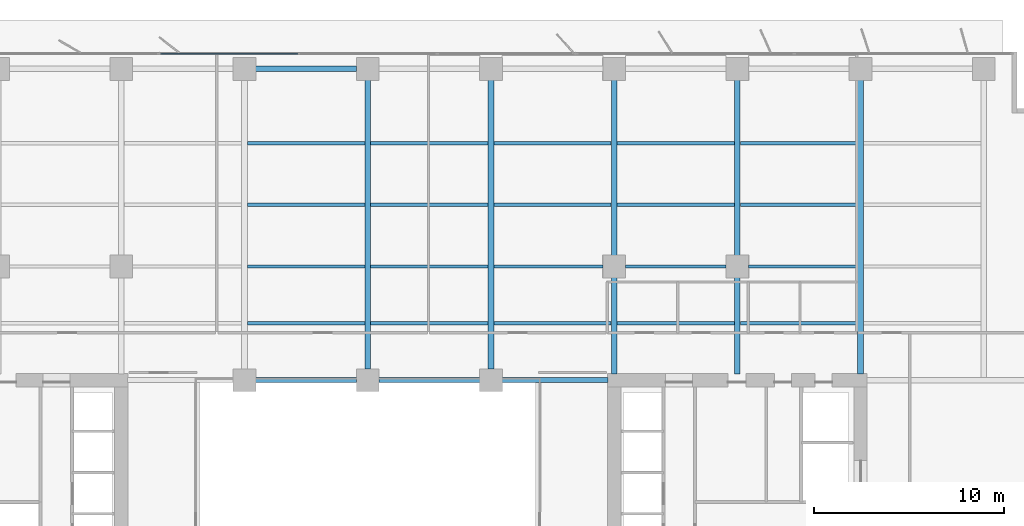
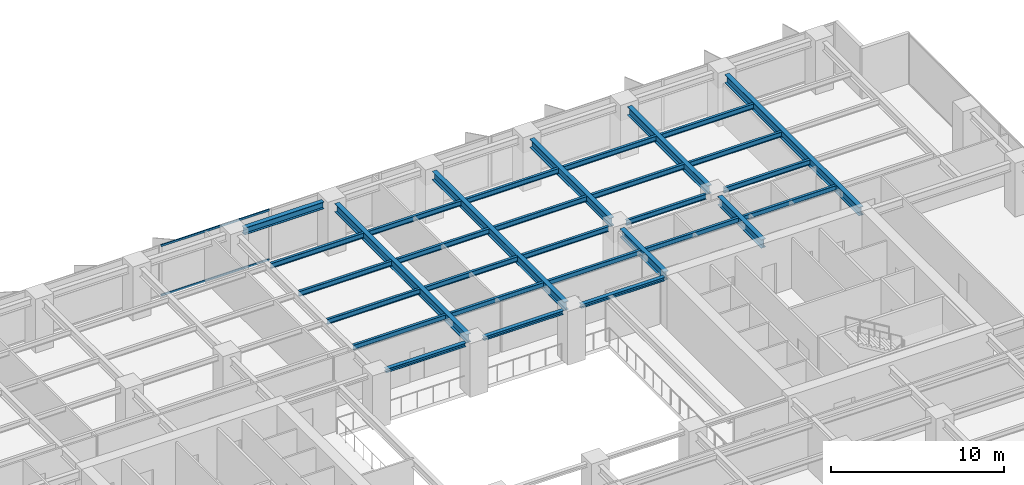
# One storey, part 8 of 19: 31 beams, 2 members, 1 element without a shape of its own.
"""IFC4 building model written with IfcOpenShell, lengths in metres."""

import ifcopenshell
import ifcopenshell.guid

model = None  # the IFC model being written
_history = None  # IfcOwnerHistory: only IFC2X3 demands one
_inside = {}  # id of a spatial element -> (the spatial element, [elements in it])
_under = {}  # id of a project, library or spatial element -> (it, [spatial elements below it])
_declared = {}  # id of a project -> (the project, [libraries it declares])
_typed = {}  # id of a type object -> (the type object, [elements of that type])
_made_of = {}  # id of a material, layer set ... -> (it, [elements and type objects made of it])


def new_model(schema):
    """Start an empty IFC model of exactly this schema.

    Asked for "IFC4X3", IfcOpenShell would pick the latest addendum, in which some entities
    have other attributes; the version numbers below select the first issue.
    IFC2X3 requires an IfcOwnerHistory on every rooted entity: one is made here for all.
    """
    global model, _history
    if schema == "IFC4X3":
        model = ifcopenshell.file(schema_version=(4, 3, 0, 0))
    else:
        model = ifcopenshell.file(schema=schema)
    _inside.clear()
    _under.clear()
    _declared.clear()
    _typed.clear()
    _made_of.clear()
    _history = None
    if model.schema == "IFC2X3":
        org = make("IfcOrganization", Name="unknown")
        user = make(
            "IfcPersonAndOrganization",
            ThePerson=make("IfcPerson", FamilyName="unknown"),
            TheOrganization=org,
        )
        app = make(
            "IfcApplication",
            ApplicationDeveloper=org,
            Version="unknown",
            ApplicationFullName="unknown",
            ApplicationIdentifier="unknown",
        )
        _history = make(
            "IfcOwnerHistory",
            OwningUser=user,
            OwningApplication=app,
            ChangeAction="ADDED",
            CreationDate=0,
        )
    return model


def make(cls, **values):
    """One entity of the class cls with the attributes given. An attribute that is None is left unset."""
    return model.create_entity(
        cls, **{name: value for name, value in values.items() if value is not None}
    )


def rooted(cls, **values):
    """An entity with a GlobalId (a new one), such as an element, a storey or a relation."""
    return make(cls, GlobalId=ifcopenshell.guid.new(), OwnerHistory=_history, **values)


def si_unit(unit_type, name, prefix=None):
    """IfcSIUnit, for example si_unit("LENGTHUNIT", "METRE", prefix="MILLI")."""
    return make("IfcSIUnit", UnitType=unit_type, Prefix=prefix, Name=name)


def assignment(units):
    """IfcUnitAssignment: the units of a project."""
    return None if units is None else make("IfcUnitAssignment", Units=units)


def point(xyz):
    """IfcCartesianPoint."""
    return None if xyz is None else make("IfcCartesianPoint", Coordinates=xyz)


def direction(xyz):
    """IfcDirection."""
    return None if xyz is None else make("IfcDirection", DirectionRatios=xyz)


def frame(location, z_axis=None, x_axis=None):
    """IfcAxis2Placement3D, a coordinate frame: its origin and axes. An axis left out is left unset."""
    return make(
        "IfcAxis2Placement3D",
        Location=point(location),
        Axis=direction(z_axis),
        RefDirection=direction(x_axis),
    )


def frame_2d(location, x_axis=None):
    """IfcAxis2Placement2D, a coordinate frame in the plane: its origin and x axis."""
    return make(
        "IfcAxis2Placement2D", Location=point(location), RefDirection=direction(x_axis)
    )


def origin():
    """The frame at (0, 0, 0) with its axes left unset."""
    return frame((0.0, 0.0, 0.0))


def origin_2d():
    """The frame at (0, 0) in the plane with its x axis left unset."""
    return frame_2d((0.0, 0.0))


def place(relative_to, where):
    """IfcLocalPlacement: puts the frame where relative to a parent placement (None: the world)."""
    return make(
        "IfcLocalPlacement", PlacementRelTo=relative_to, RelativePlacement=where
    )


def context(
    kind, dimensions, precision=None, world=None, true_north=None, identifier=None
):
    """IfcGeometricRepresentationContext, for example the 3D "Model" context."""
    return make(
        "IfcGeometricRepresentationContext",
        ContextIdentifier=identifier,
        ContextType=kind,
        CoordinateSpaceDimension=dimensions,
        Precision=precision,
        WorldCoordinateSystem=world,
        TrueNorth=true_north,
    )


def subcontext(parent, identifier, kind, view, scale=None):
    """IfcGeometricRepresentationSubContext, for example "Body" below "Model"."""
    return make(
        "IfcGeometricRepresentationSubContext",
        ContextIdentifier=identifier,
        ContextType=kind,
        ParentContext=parent,
        TargetScale=scale,
        TargetView=view,
    )


def project(units=None, contexts=None):
    """IfcProject with its units and contexts."""
    return rooted(
        "IfcProject",
        Name="project",
        RepresentationContexts=contexts,
        UnitsInContext=assignment(units),
    )


def spatial(cls, under=None, at=None, **own):
    """A site, building, storey or space (cls), placed at a placement, below another one or the project."""
    s = rooted(cls, ObjectPlacement=at, **own)
    if under is not None:
        _under.setdefault(under.id(), (under, []))[1].append(s)
    return s


def profile(cls, at=None, kind="AREA", **sizes):
    """A parametric profile (cls). Its sizes go by their IFC names, for example OverallWidth=200.0."""
    return make(cls, ProfileType=kind, Position=at, **sizes)


def rectangle(**sizes):
    """IfcRectangleProfileDef."""
    return profile("IfcRectangleProfileDef", **sizes)


def i_section(**sizes):
    """IfcIShapeProfileDef."""
    return profile("IfcIShapeProfileDef", **sizes)


def extrude(swept, where, along, depth):
    """IfcExtrudedAreaSolid: the profile swept, set in the frame where, extruded along a direction by depth."""
    return make(
        "IfcExtrudedAreaSolid",
        SweptArea=swept,
        Position=where,
        ExtrudedDirection=direction(along),
        Depth=depth,
    )


def shape(context_of_items, identifier, shape_type, items):
    """IfcShapeRepresentation: the items that make up one representation, for example the "Body"."""
    return make(
        "IfcShapeRepresentation",
        ContextOfItems=context_of_items,
        RepresentationIdentifier=identifier,
        RepresentationType=shape_type,
        Items=items,
    )


def material(Name=None, Category=None):
    """IfcMaterial."""
    return make("IfcMaterial", Name=Name, Category=Category)


def layer(
    of_material, thickness, ventilated=None, Name=None, Category=None, Priority=None
):
    """IfcMaterialLayer: one layer of a wall or slab, of a material (None: an air gap)."""
    return make(
        "IfcMaterialLayer",
        Material=of_material,
        LayerThickness=thickness,
        IsVentilated=ventilated,
        Name=Name,
        Category=Category,
        Priority=Priority,
    )


def layer_set(layers, Name=None):
    """IfcMaterialLayerSet."""
    return make("IfcMaterialLayerSet", MaterialLayers=layers, LayerSetName=Name)


def material_profile(
    of_material, cross_section, Name=None, Category=None, Priority=None
):
    """IfcMaterialProfile: a cross section and its material."""
    return make(
        "IfcMaterialProfile",
        Name=Name,
        Material=of_material,
        Profile=cross_section,
        Priority=Priority,
        Category=Category,
    )


def profile_set(profiles, Name=None, composite=None):
    """IfcMaterialProfileSet."""
    return make(
        "IfcMaterialProfileSet",
        Name=Name,
        MaterialProfiles=profiles,
        CompositeProfile=composite,
    )


def made_of(thing, what):
    """Note that an element or type object is made of a material, layer set ...; save() writes the relation."""
    if what is not None:
        _made_of.setdefault(what.id(), (what, []))[1].append(thing)
    return thing


def type_object(cls, material=None, **own):
    """A type object (cls), such as IfcWallType, which elements share."""
    return made_of(rooted(cls, **own), material)


def element(
    cls,
    number,
    at=None,
    inside=None,
    cuts=None,
    type_object=None,
    material=None,
    context=None,
    identifier="Body",
    shape_type=None,
    held_by="IfcProductDefinitionShape",
    body=None,
    shapes=None,
    **own,
):
    """One element of the class cls, such as IfcWall. Its Tag is "e" and its number.

    at: its placement. inside: the storey or other place that contains it. cuts: it is an
    opening in that element (IfcRelVoidsElement). A single representation is given by context,
    identifier, shape_type and body (its items); several are given by shapes. held_by: the class
    of the entity that holds the representations. save() writes the other relations.
    """
    e = rooted(cls, Tag="e%d" % number, ObjectPlacement=at, **own)
    if body is not None:
        shapes = [shape(context, identifier, shape_type, body)]
    if shapes is not None:
        e.Representation = make(held_by, Representations=shapes)
    if inside is not None:
        _inside.setdefault(inside.id(), (inside, []))[1].append(e)
    if cuts is not None:
        rooted(
            "IfcRelVoidsElement", RelatingBuildingElement=cuts, RelatedOpeningElement=e
        )
    if type_object is not None:
        _typed.setdefault(type_object.id(), (type_object, []))[1].append(e)
    return made_of(e, material)


def aggregate(whole, parts):
    """IfcRelAggregates: a whole, such as a stair, and the parts it consists of."""
    return rooted("IfcRelAggregates", RelatingObject=whole, RelatedObjects=parts)


def save(model, path):
    """Write the relations noted so far, then the file.

    IfcRelAggregates (storeys below a building ...), IfcRelContainedInSpatialStructure (elements
    in a storey), IfcRelDefinesByType, IfcRelAssociatesMaterial and IfcRelDeclares: one each for
    every whole, place, type object, material and project.
    """
    for whole, parts in _under.values():
        aggregate(whole, parts)
    for where, things in _inside.values():
        rooted(
            "IfcRelContainedInSpatialStructure",
            RelatedElements=things,
            RelatingStructure=where,
        )
    for kind, things in _typed.values():
        rooted("IfcRelDefinesByType", RelatedObjects=things, RelatingType=kind)
    for what, things in _made_of.values():
        rooted("IfcRelAssociatesMaterial", RelatedObjects=things, RelatingMaterial=what)
    for by, libraries in _declared.values():
        rooted("IfcRelDeclares", RelatingContext=by, RelatedDefinitions=libraries)
    model.write(path)


model = new_model("IFC4")

# Units and contexts
model_context = context("Model", 3, precision=1e-05, world=origin(), true_north=direction((0.0, 1.0)))
body_context = subcontext(model_context, "Body", "Model", "MODEL_VIEW")
ifc_project = project(units=[si_unit("LENGTHUNIT", "METRE"), si_unit("AREAUNIT", "SQUARE_METRE"), si_unit("VOLUMEUNIT", "CUBIC_METRE"), si_unit("PLANEANGLEUNIT", "RADIAN"), si_unit("MASSUNIT", "GRAM", prefix="KILO")], contexts=[model_context])

# Site, building, storey
site_placement = place(None, origin())
site = spatial("IfcSite", under=ifc_project, at=site_placement, CompositionType="ELEMENT")
building_placement = place(site_placement, origin())
building = spatial("IfcBuilding", under=site, at=building_placement, Name="Putna Gate Headquarters", CompositionType="ELEMENT")
storey_placement = place(building_placement, frame((0.0, 0.0, 86.0)))
storey = spatial("IfcBuildingStorey", under=building, at=storey_placement, Name="L20", CompositionType="ELEMENT", Elevation=86.0)

# Beams
ifc_material_1 = material(Name="Steel S355J2", Category="steel")
ifc_material_profile_1 = material_profile(ifc_material_1, i_section(OverallWidth=0.260009765625, OverallDepth=0.260009765625, WebThickness=0.010009765625, FlangeThickness=0.017578125, at=origin_2d()), Name="Steel S355J2")
ifc_profile_set_1 = profile_set([ifc_material_profile_1], Name="Steel S355J2")
beam_type_1 = type_object("IfcBeamType", Name="BM-ATRIUM-HEB260", PredefinedType="BEAM", material=ifc_profile_set_1)
for number, where, z_axis, x_axis, name in (
    (1, (33.087890625, 33.0, 3.43505859375), (1.0, 0.0, 0.0), (0.0, 1.0, 0.0), "L20 Atrium Edge Beam AN2"),
    (2, (39.587890625, 33.0, 3.43505859375), (1.0, 0.0, 0.0), (0.0, 1.0, 0.0), "L20 Atrium Edge Beam AN3"),
):
    element("IfcBeam", number, at=place(storey_placement, frame(where, z_axis=z_axis, x_axis=x_axis)), inside=storey, type_object=beam_type_1, Name=name, PredefinedType="BEAM", context=body_context, shape_type="SweptSolid", body=[
        extrude(i_section(OverallWidth=0.260009765625, OverallDepth=0.260009765625, WebThickness=0.010009765625, FlangeThickness=0.017578125, at=origin_2d()), origin(), (0.0, 0.0, 1.0), 5.32421875),
    ])
beam_1_placement = place(storey_placement, frame((46.087890625, 33.0, 3.43505859375), z_axis=(1.0, 0.0, 0.0), x_axis=(0.0, 1.0, 0.0)))
element("IfcBeam", 3, at=beam_1_placement, inside=storey, type_object=beam_type_1, Name="L20 Atrium Edge Beam AN4", PredefinedType="BEAM", context=body_context, shape_type="SweptSolid", body=[
    extrude(i_section(OverallWidth=0.260009765625, OverallDepth=0.260009765625, WebThickness=0.010009765625, FlangeThickness=0.017578125, at=origin_2d()), origin(), (0.0, 0.0, 1.0), 5.5771484375),
])
ifc_material_profile_2 = material_profile(ifc_material_1, i_section(OverallWidth=0.300048828125, OverallDepth=0.60009765625, WebThickness=0.015380859375, FlangeThickness=0.030029296875, at=origin_2d()), Name="Steel S355J2")
ifc_profile_set_2 = profile_set([ifc_material_profile_2], Name="Steel S355J2")
beam_type_2 = type_object("IfcBeamType", Name="BM-GIRD-Z2-HEB600", PredefinedType="USERDEFINED", material=ifc_profile_set_2)
for number, where, z_axis, x_axis, name in (
    (4, (39.0, 33.587890625, 3.264892578125), (0.0, 1.0, 0.0), (-1.0, 0.0, 0.0), "L20 North Primary Girder X39"),
    (5, (45.5, 33.587890625, 3.264892578125), (0.0, 1.0, 0.0), (-1.0, 0.0, 0.0), "L20 North Primary Girder X45"),
):
    element("IfcBeam", number, at=place(storey_placement, frame(where, z_axis=z_axis, x_axis=x_axis)), inside=storey, type_object=beam_type_2, Name=name, ObjectType="GIRDER", PredefinedType="USERDEFINED", context=body_context, shape_type="SweptSolid", body=[
        extrude(i_section(OverallWidth=0.300048828125, OverallDepth=0.60009765625, WebThickness=0.015380859375, FlangeThickness=0.030029296875, at=origin_2d()), origin(), (0.0, 0.0, 1.0), 15.244140625),
    ])
beam_2_placement = place(storey_placement, frame((52.0, 33.3349609375, 3.264892578125), z_axis=(0.0, 1.0, 0.0), x_axis=(-1.0, 0.0, 0.0)))
element("IfcBeam", 6, at=beam_2_placement, inside=storey, type_object=beam_type_2, Name="L20 North Primary Girder X52-1", ObjectType="GIRDER", PredefinedType="USERDEFINED", context=body_context, shape_type="SweptSolid", body=[
    extrude(i_section(OverallWidth=0.300048828125, OverallDepth=0.60009765625, WebThickness=0.015380859375, FlangeThickness=0.030029296875, at=origin_2d()), origin(), (0.0, 0.0, 1.0), 5.0771484375),
])
beam_3_placement = place(storey_placement, frame((52.0, 39.587890625, 3.264892578125), z_axis=(0.0, 1.0, 0.0), x_axis=(-1.0, 0.0, 0.0)))
element("IfcBeam", 7, at=beam_3_placement, inside=storey, type_object=beam_type_2, Name="L20 North Primary Girder X52-2", ObjectType="GIRDER", PredefinedType="USERDEFINED", context=body_context, shape_type="SweptSolid", body=[
    extrude(i_section(OverallWidth=0.300048828125, OverallDepth=0.60009765625, WebThickness=0.015380859375, FlangeThickness=0.030029296875, at=origin_2d()), origin(), (0.0, 0.0, 1.0), 9.244140625),
])
beam_4_placement = place(storey_placement, frame((58.5, 33.3349609375, 3.264892578125), z_axis=(0.0, 1.0, 0.0), x_axis=(-1.0, 0.0, 0.0)))
element("IfcBeam", 8, at=beam_4_placement, inside=storey, type_object=beam_type_2, Name="L20 North Primary Girder X58-1", ObjectType="GIRDER", PredefinedType="USERDEFINED", context=body_context, shape_type="SweptSolid", body=[
    extrude(i_section(OverallWidth=0.300048828125, OverallDepth=0.60009765625, WebThickness=0.015380859375, FlangeThickness=0.030029296875, at=origin_2d()), origin(), (0.0, 0.0, 1.0), 5.0771484375),
])
beam_5_placement = place(storey_placement, frame((58.5, 39.587890625, 3.264892578125), z_axis=(0.0, 1.0, 0.0), x_axis=(-1.0, 0.0, 0.0)))
element("IfcBeam", 9, at=beam_5_placement, inside=storey, type_object=beam_type_2, Name="L20 North Primary Girder X58-2", ObjectType="GIRDER", PredefinedType="USERDEFINED", context=body_context, shape_type="SweptSolid", body=[
    extrude(i_section(OverallWidth=0.300048828125, OverallDepth=0.60009765625, WebThickness=0.015380859375, FlangeThickness=0.030029296875, at=origin_2d()), origin(), (0.0, 0.0, 1.0), 9.244140625),
])
beam_6_placement = place(storey_placement, frame((65.0, 33.3349609375, 3.264892578125), z_axis=(0.0, 1.0, 0.0), x_axis=(-1.0, 0.0, 0.0)))
element("IfcBeam", 10, at=beam_6_placement, inside=storey, type_object=beam_type_2, Name="L20 North Primary Girder X65", ObjectType="GIRDER", PredefinedType="USERDEFINED", context=body_context, shape_type="SweptSolid", body=[
    extrude(i_section(OverallWidth=0.300048828125, OverallDepth=0.60009765625, WebThickness=0.015380859375, FlangeThickness=0.030029296875, at=origin_2d()), origin(), (0.0, 0.0, 1.0), 15.4970703125),
])
ifc_material_profile_3 = material_profile(ifc_material_1, i_section(OverallWidth=0.169921875, OverallDepth=0.360107421875, WebThickness=0.008056640625, FlangeThickness=0.0126953125, at=origin_2d()), Name="Steel S355J2")
ifc_profile_set_3 = profile_set([ifc_material_profile_3], Name="Steel S355J2")
beam_type_3 = type_object("IfcBeamType", Name="BM-SEC-Z2-IPE360", PredefinedType="BEAM", material=ifc_profile_set_3)
for number, where, z_axis, x_axis, name in (
    (11, (32.654052734375, 36.0, 3.385009765625), (1.0, 0.0, 0.0), (0.0, 1.0, 0.0), "L20 North Secondary Beam 5"),
    (12, (32.654052734375, 39.0, 3.385009765625), (1.0, 0.0, 0.0), (0.0, 1.0, 0.0), "L20 North Secondary Beam 5"),
    (13, (32.654052734375, 42.25, 3.385009765625), (1.0, 0.0, 0.0), (0.0, 1.0, 0.0), "L20 North Secondary Beam 5"),
    (14, (32.654052734375, 45.5, 3.385009765625), (1.0, 0.0, 0.0), (0.0, 1.0, 0.0), "L20 North Secondary Beam 5"),
    (15, (39.154052734375, 36.0, 3.385009765625), (1.0, 0.0, 0.0), (0.0, 1.0, 0.0), "L20 North Secondary Beam 6"),
    (16, (39.154052734375, 39.0, 3.385009765625), (1.0, 0.0, 0.0), (0.0, 1.0, 0.0), "L20 North Secondary Beam 6"),
    (17, (39.154052734375, 42.25, 3.385009765625), (1.0, 0.0, 0.0), (0.0, 1.0, 0.0), "L20 North Secondary Beam 6"),
    (18, (39.154052734375, 45.5, 3.385009765625), (1.0, 0.0, 0.0), (0.0, 1.0, 0.0), "L20 North Secondary Beam 6"),
    (19, (45.654052734375, 36.0, 3.385009765625), (1.0, 0.0, 0.0), (0.0, 1.0, 0.0), "L20 North Secondary Beam 7"),
):
    element("IfcBeam", number, at=place(storey_placement, frame(where, z_axis=z_axis, x_axis=x_axis)), inside=storey, type_object=beam_type_3, Name=name, PredefinedType="BEAM", context=body_context, shape_type="SweptSolid", body=[
        extrude(i_section(OverallWidth=0.169921875, OverallDepth=0.360107421875, WebThickness=0.008056640625, FlangeThickness=0.0126953125, at=origin_2d()), origin(), (0.0, 0.0, 1.0), 6.19189453125),
    ])
beam_7_placement = place(storey_placement, frame((45.654052734375, 39.0, 3.385009765625), z_axis=(1.0, 0.0, 0.0), x_axis=(0.0, 1.0, 0.0)))
element("IfcBeam", 20, at=beam_7_placement, inside=storey, type_object=beam_type_3, Name="L20 North Secondary Beam 7", PredefinedType="BEAM", context=body_context, shape_type="SweptSolid", body=[
    extrude(i_section(OverallWidth=0.169921875, OverallDepth=0.360107421875, WebThickness=0.008056640625, FlangeThickness=0.0126953125, at=origin_2d()), origin(), (0.0, 0.0, 1.0), 5.758056640625),
])
for number, where, z_axis, x_axis, name in (
    (21, (45.654052734375, 42.25, 3.385009765625), (1.0, 0.0, 0.0), (0.0, 1.0, 0.0), "L20 North Secondary Beam 7"),
    (22, (45.654052734375, 45.5, 3.385009765625), (1.0, 0.0, 0.0), (0.0, 1.0, 0.0), "L20 North Secondary Beam 7"),
    (23, (52.154052734375, 36.0, 3.385009765625), (1.0, 0.0, 0.0), (0.0, 1.0, 0.0), "L20 North Secondary Beam 8"),
):
    element("IfcBeam", number, at=place(storey_placement, frame(where, z_axis=z_axis, x_axis=x_axis)), inside=storey, type_object=beam_type_3, Name=name, PredefinedType="BEAM", context=body_context, shape_type="SweptSolid", body=[
        extrude(i_section(OverallWidth=0.169921875, OverallDepth=0.360107421875, WebThickness=0.008056640625, FlangeThickness=0.0126953125, at=origin_2d()), origin(), (0.0, 0.0, 1.0), 6.19189453125),
    ])
beam_8_placement = place(storey_placement, frame((52.587890625, 39.0, 3.385009765625), z_axis=(1.0, 0.0, 0.0), x_axis=(0.0, 1.0, 0.0)))
element("IfcBeam", 24, at=beam_8_placement, inside=storey, type_object=beam_type_3, Name="L20 North Secondary Beam 8", PredefinedType="BEAM", context=body_context, shape_type="SweptSolid", body=[
    extrude(i_section(OverallWidth=0.169921875, OverallDepth=0.360107421875, WebThickness=0.008056640625, FlangeThickness=0.0126953125, at=origin_2d()), origin(), (0.0, 0.0, 1.0), 5.32421875),
])
for number, where, z_axis, x_axis, name in (
    (25, (52.154052734375, 42.25, 3.385009765625), (1.0, 0.0, 0.0), (0.0, 1.0, 0.0), "L20 North Secondary Beam 8"),
    (26, (52.154052734375, 45.5, 3.385009765625), (1.0, 0.0, 0.0), (0.0, 1.0, 0.0), "L20 North Secondary Beam 8"),
    (27, (58.654052734375, 36.0, 3.385009765625), (1.0, 0.0, 0.0), (0.0, 1.0, 0.0), "L20 North Secondary Beam 9"),
):
    element("IfcBeam", number, at=place(storey_placement, frame(where, z_axis=z_axis, x_axis=x_axis)), inside=storey, type_object=beam_type_3, Name=name, PredefinedType="BEAM", context=body_context, shape_type="SweptSolid", body=[
        extrude(i_section(OverallWidth=0.169921875, OverallDepth=0.360107421875, WebThickness=0.008056640625, FlangeThickness=0.0126953125, at=origin_2d()), origin(), (0.0, 0.0, 1.0), 6.19189453125),
    ])
beam_9_placement = place(storey_placement, frame((59.087890625, 39.0, 3.385009765625), z_axis=(1.0, 0.0, 0.0), x_axis=(0.0, 1.0, 0.0)))
element("IfcBeam", 28, at=beam_9_placement, inside=storey, type_object=beam_type_3, Name="L20 North Secondary Beam 9", PredefinedType="BEAM", context=body_context, shape_type="SweptSolid", body=[
    extrude(i_section(OverallWidth=0.169921875, OverallDepth=0.360107421875, WebThickness=0.008056640625, FlangeThickness=0.0126953125, at=origin_2d()), origin(), (0.0, 0.0, 1.0), 5.758056640625),
])
for number, where, z_axis, x_axis, name in (
    (29, (58.654052734375, 42.25, 3.385009765625), (1.0, 0.0, 0.0), (0.0, 1.0, 0.0), "L20 North Secondary Beam 9"),
    (30, (58.654052734375, 45.5, 3.385009765625), (1.0, 0.0, 0.0), (0.0, 1.0, 0.0), "L20 North Secondary Beam 9"),
):
    element("IfcBeam", number, at=place(storey_placement, frame(where, z_axis=z_axis, x_axis=x_axis)), inside=storey, type_object=beam_type_3, Name=name, PredefinedType="BEAM", context=body_context, shape_type="SweptSolid", body=[
        extrude(i_section(OverallWidth=0.169921875, OverallDepth=0.360107421875, WebThickness=0.008056640625, FlangeThickness=0.0126953125, at=origin_2d()), origin(), (0.0, 0.0, 1.0), 6.19189453125),
    ])
ifc_material_profile_4 = material_profile(ifc_material_1, i_section(OverallWidth=0.300048828125, OverallDepth=0.489990234375, WebThickness=0.011962890625, FlangeThickness=0.02294921875, at=origin_2d()), Name="Steel S355J2")
ifc_profile_set_4 = profile_set([ifc_material_profile_4], Name="Steel S355J2")
beam_type_4 = type_object("IfcBeamType", Name="BM-SPAN-Z2-HEA500", PredefinedType="SPANDREL", material=ifc_profile_set_4)
beam_10_placement = place(storey_placement, frame((33.087890625, 49.419921875, 3.320068359375), z_axis=(1.0, 0.0, 0.0), x_axis=(0.0, 1.0, 0.0)))
element("IfcBeam", 31, at=beam_10_placement, inside=storey, type_object=beam_type_4, Name="L20 N Perimeter Spandrel 5", PredefinedType="SPANDREL", context=body_context, shape_type="SweptSolid", body=[
    extrude(i_section(OverallWidth=0.300048828125, OverallDepth=0.489990234375, WebThickness=0.011962890625, FlangeThickness=0.02294921875, at=origin_2d()), origin(), (0.0, 0.0, 1.0), 5.32421875),
])

# Curtain wall, members
ifc_material_2 = material(Name="Anodised bronze aluminium curtain wall", Category="aluminium")
ifc_layer = layer(ifc_material_2, 0.179931640625)
ifc_layer_set = layer_set([ifc_layer], Name="Anodised bronze aluminium curtain wall")
curtain_wall_type = type_object("IfcCurtainWallType", Name="CW-SYS-ATR", PredefinedType="USERDEFINED", material=ifc_layer_set)
curtain_wall_placement = place(storey_placement, origin())
curtain_wall = element("IfcCurtainWall", 32, at=curtain_wall_placement, inside=storey, type_object=curtain_wall_type, Name="L20 North Atrium Clear Glazing", ObjectType="ATRIUM GLAZING", PredefinedType="USERDEFINED")
ifc_material_3 = material(Name="Anodised bronze aluminium EN AW-6060", Category="aluminium")
ifc_material_profile_5 = material_profile(ifc_material_3, rectangle(XDim=0.070068359375, YDim=0.139892578125, at=origin_2d()), Name="Anodised bronze aluminium EN AW-6060")
ifc_profile_set_5 = profile_set([ifc_material_profile_5], Name="Anodised bronze aluminium EN AW-6060")
member_type = type_object("IfcMemberType", Name="TRAN-CWT-AT", PredefinedType="USERDEFINED", material=ifc_profile_set_5)
member_1_placement = place(storey_placement, frame((28.070068359375, 50.219970703125, 0.034912109375), z_axis=(1.0, 0.0, 0.0), x_axis=(0.0, 1.0, 0.0)))
member_1 = element("IfcMember", 33, at=member_1_placement, type_object=member_type, Name="CWS-AT transom 1.1", ObjectType="TRANSOM", PredefinedType="USERDEFINED", context=body_context, shape_type="SweptSolid", body=[
    extrude(rectangle(XDim=0.070068359375, YDim=0.139892578125, at=origin_2d()), origin(), (0.0, 0.0, 1.0), 7.228271484375),
])
member_2_placement = place(storey_placement, frame((28.070068359375, 50.219970703125, 3.530029296875), z_axis=(1.0, 0.0, 0.0), x_axis=(0.0, 1.0, 0.0)))
member_2 = element("IfcMember", 34, at=member_2_placement, type_object=member_type, Name="CWS-AT transom 1.2", ObjectType="TRANSOM", PredefinedType="USERDEFINED", context=body_context, shape_type="SweptSolid", body=[
    extrude(rectangle(XDim=0.070068359375, YDim=0.139892578125, at=origin_2d()), origin(), (0.0, 0.0, 1.0), 7.228271484375),
])
aggregate(curtain_wall, [member_1, member_2])

save(model, "model.ifc")
